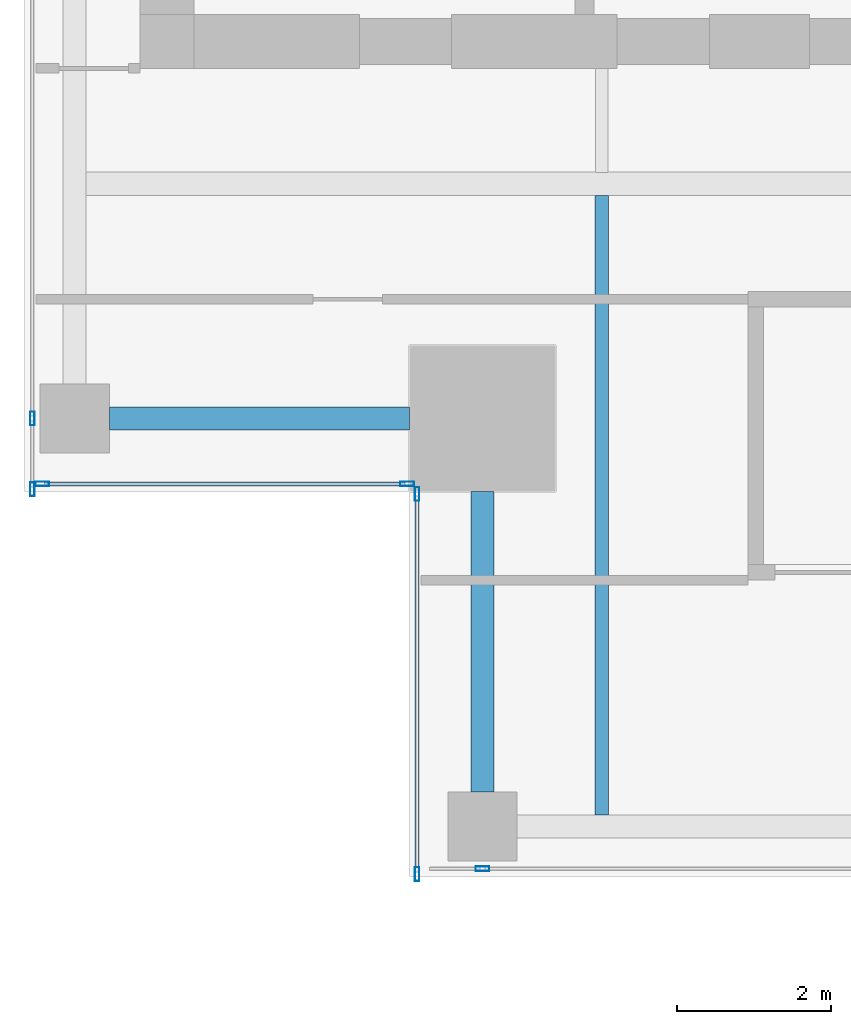
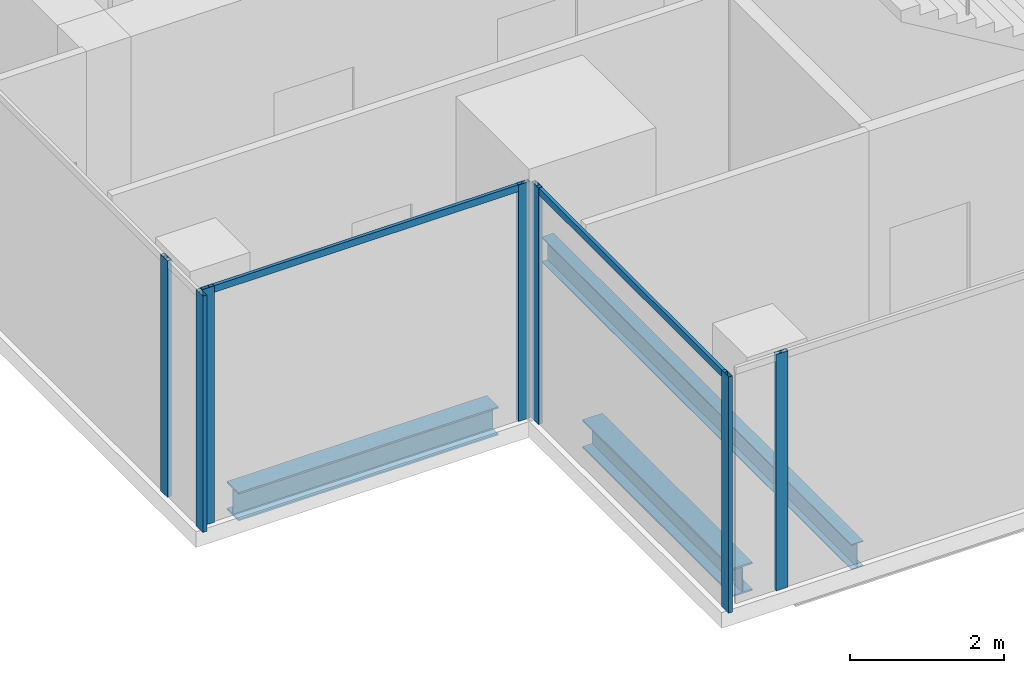
# One storey, part 2 of 36: 9 members, 3 beams, 4 elements without a shape of their own.
"""IFC4 building model written with IfcOpenShell, lengths in metres."""

import ifcopenshell
import ifcopenshell.guid

model = None  # the IFC model being written
_history = None  # IfcOwnerHistory: only IFC2X3 demands one
_inside = {}  # id of a spatial element -> (the spatial element, [elements in it])
_under = {}  # id of a project, library or spatial element -> (it, [spatial elements below it])
_declared = {}  # id of a project -> (the project, [libraries it declares])
_typed = {}  # id of a type object -> (the type object, [elements of that type])
_made_of = {}  # id of a material, layer set ... -> (it, [elements and type objects made of it])


def new_model(schema):
    """Start an empty IFC model of exactly this schema.

    Asked for "IFC4X3", IfcOpenShell would pick the latest addendum, in which some entities
    have other attributes; the version numbers below select the first issue.
    IFC2X3 requires an IfcOwnerHistory on every rooted entity: one is made here for all.
    """
    global model, _history
    if schema == "IFC4X3":
        model = ifcopenshell.file(schema_version=(4, 3, 0, 0))
    else:
        model = ifcopenshell.file(schema=schema)
    _inside.clear()
    _under.clear()
    _declared.clear()
    _typed.clear()
    _made_of.clear()
    _history = None
    if model.schema == "IFC2X3":
        org = make("IfcOrganization", Name="unknown")
        user = make(
            "IfcPersonAndOrganization",
            ThePerson=make("IfcPerson", FamilyName="unknown"),
            TheOrganization=org,
        )
        app = make(
            "IfcApplication",
            ApplicationDeveloper=org,
            Version="unknown",
            ApplicationFullName="unknown",
            ApplicationIdentifier="unknown",
        )
        _history = make(
            "IfcOwnerHistory",
            OwningUser=user,
            OwningApplication=app,
            ChangeAction="ADDED",
            CreationDate=0,
        )
    return model


def make(cls, **values):
    """One entity of the class cls with the attributes given. An attribute that is None is left unset."""
    return model.create_entity(
        cls, **{name: value for name, value in values.items() if value is not None}
    )


def rooted(cls, **values):
    """An entity with a GlobalId (a new one), such as an element, a storey or a relation."""
    return make(cls, GlobalId=ifcopenshell.guid.new(), OwnerHistory=_history, **values)


def si_unit(unit_type, name, prefix=None):
    """IfcSIUnit, for example si_unit("LENGTHUNIT", "METRE", prefix="MILLI")."""
    return make("IfcSIUnit", UnitType=unit_type, Prefix=prefix, Name=name)


def assignment(units):
    """IfcUnitAssignment: the units of a project."""
    return None if units is None else make("IfcUnitAssignment", Units=units)


def point(xyz):
    """IfcCartesianPoint."""
    return None if xyz is None else make("IfcCartesianPoint", Coordinates=xyz)


def direction(xyz):
    """IfcDirection."""
    return None if xyz is None else make("IfcDirection", DirectionRatios=xyz)


def frame(location, z_axis=None, x_axis=None):
    """IfcAxis2Placement3D, a coordinate frame: its origin and axes. An axis left out is left unset."""
    return make(
        "IfcAxis2Placement3D",
        Location=point(location),
        Axis=direction(z_axis),
        RefDirection=direction(x_axis),
    )


def frame_2d(location, x_axis=None):
    """IfcAxis2Placement2D, a coordinate frame in the plane: its origin and x axis."""
    return make(
        "IfcAxis2Placement2D", Location=point(location), RefDirection=direction(x_axis)
    )


def origin():
    """The frame at (0, 0, 0) with its axes left unset."""
    return frame((0.0, 0.0, 0.0))


def origin_2d():
    """The frame at (0, 0) in the plane with its x axis left unset."""
    return frame_2d((0.0, 0.0))


def place(relative_to, where):
    """IfcLocalPlacement: puts the frame where relative to a parent placement (None: the world)."""
    return make(
        "IfcLocalPlacement", PlacementRelTo=relative_to, RelativePlacement=where
    )


def context(
    kind, dimensions, precision=None, world=None, true_north=None, identifier=None
):
    """IfcGeometricRepresentationContext, for example the 3D "Model" context."""
    return make(
        "IfcGeometricRepresentationContext",
        ContextIdentifier=identifier,
        ContextType=kind,
        CoordinateSpaceDimension=dimensions,
        Precision=precision,
        WorldCoordinateSystem=world,
        TrueNorth=true_north,
    )


def subcontext(parent, identifier, kind, view, scale=None):
    """IfcGeometricRepresentationSubContext, for example "Body" below "Model"."""
    return make(
        "IfcGeometricRepresentationSubContext",
        ContextIdentifier=identifier,
        ContextType=kind,
        ParentContext=parent,
        TargetScale=scale,
        TargetView=view,
    )


def project(units=None, contexts=None):
    """IfcProject with its units and contexts."""
    return rooted(
        "IfcProject",
        Name="project",
        RepresentationContexts=contexts,
        UnitsInContext=assignment(units),
    )


def spatial(cls, under=None, at=None, **own):
    """A site, building, storey or space (cls), placed at a placement, below another one or the project."""
    s = rooted(cls, ObjectPlacement=at, **own)
    if under is not None:
        _under.setdefault(under.id(), (under, []))[1].append(s)
    return s


def profile(cls, at=None, kind="AREA", **sizes):
    """A parametric profile (cls). Its sizes go by their IFC names, for example OverallWidth=200.0."""
    return make(cls, ProfileType=kind, Position=at, **sizes)


def hollow_rectangle(**sizes):
    """IfcRectangleHollowProfileDef."""
    return profile("IfcRectangleHollowProfileDef", **sizes)


def i_section(**sizes):
    """IfcIShapeProfileDef."""
    return profile("IfcIShapeProfileDef", **sizes)


def extrude(swept, where, along, depth):
    """IfcExtrudedAreaSolid: the profile swept, set in the frame where, extruded along a direction by depth."""
    return make(
        "IfcExtrudedAreaSolid",
        SweptArea=swept,
        Position=where,
        ExtrudedDirection=direction(along),
        Depth=depth,
    )


def shape(context_of_items, identifier, shape_type, items):
    """IfcShapeRepresentation: the items that make up one representation, for example the "Body"."""
    return make(
        "IfcShapeRepresentation",
        ContextOfItems=context_of_items,
        RepresentationIdentifier=identifier,
        RepresentationType=shape_type,
        Items=items,
    )


def source(mapping_origin, context_of_items, identifier, shape_type, items):
    """IfcRepresentationMap: a shape defined once, which mapped items show again and again."""
    return make(
        "IfcRepresentationMap",
        MappingOrigin=mapping_origin,
        MappedRepresentation=shape(context_of_items, identifier, shape_type, items),
    )


def transform(
    local_origin,
    x_axis=None,
    y_axis=None,
    z_axis=None,
    scale=None,
    scale2=None,
    scale3=None,
    uniform=True,
):
    """IfcCartesianTransformationOperator3D, or its non-uniform kind. x_axis, y_axis, z_axis: its Axis1, 2, 3."""
    if uniform:
        return make(
            "IfcCartesianTransformationOperator3D",
            Axis1=direction(x_axis),
            Axis2=direction(y_axis),
            LocalOrigin=point(local_origin),
            Scale=scale,
            Axis3=direction(z_axis),
        )
    return make(
        "IfcCartesianTransformationOperator3DnonUniform",
        Axis1=direction(x_axis),
        Axis2=direction(y_axis),
        LocalOrigin=point(local_origin),
        Scale=scale,
        Axis3=direction(z_axis),
        Scale2=scale2,
        Scale3=scale3,
    )


def mapped(mapping_source, mapping_target):
    """IfcMappedItem: shows the shape of a source again, moved by a transform."""
    return make(
        "IfcMappedItem", MappingSource=mapping_source, MappingTarget=mapping_target
    )


def material(Name=None, Category=None):
    """IfcMaterial."""
    return make("IfcMaterial", Name=Name, Category=Category)


def material_profile(
    of_material, cross_section, Name=None, Category=None, Priority=None
):
    """IfcMaterialProfile: a cross section and its material."""
    return make(
        "IfcMaterialProfile",
        Name=Name,
        Material=of_material,
        Profile=cross_section,
        Priority=Priority,
        Category=Category,
    )


def profile_set(profiles, Name=None, composite=None):
    """IfcMaterialProfileSet."""
    return make(
        "IfcMaterialProfileSet",
        Name=Name,
        MaterialProfiles=profiles,
        CompositeProfile=composite,
    )


def made_of(thing, what):
    """Note that an element or type object is made of a material, layer set ...; save() writes the relation."""
    if what is not None:
        _made_of.setdefault(what.id(), (what, []))[1].append(thing)
    return thing


def type_object(cls, material=None, **own):
    """A type object (cls), such as IfcWallType, which elements share."""
    return made_of(rooted(cls, **own), material)


def element(
    cls,
    number,
    at=None,
    inside=None,
    cuts=None,
    type_object=None,
    material=None,
    context=None,
    identifier="Body",
    shape_type=None,
    held_by="IfcProductDefinitionShape",
    body=None,
    shapes=None,
    **own,
):
    """One element of the class cls, such as IfcWall. Its Tag is "e" and its number.

    at: its placement. inside: the storey or other place that contains it. cuts: it is an
    opening in that element (IfcRelVoidsElement). A single representation is given by context,
    identifier, shape_type and body (its items); several are given by shapes. held_by: the class
    of the entity that holds the representations. save() writes the other relations.
    """
    e = rooted(cls, Tag="e%d" % number, ObjectPlacement=at, **own)
    if body is not None:
        shapes = [shape(context, identifier, shape_type, body)]
    if shapes is not None:
        e.Representation = make(held_by, Representations=shapes)
    if inside is not None:
        _inside.setdefault(inside.id(), (inside, []))[1].append(e)
    if cuts is not None:
        rooted(
            "IfcRelVoidsElement", RelatingBuildingElement=cuts, RelatedOpeningElement=e
        )
    if type_object is not None:
        _typed.setdefault(type_object.id(), (type_object, []))[1].append(e)
    return made_of(e, material)


def aggregate(whole, parts):
    """IfcRelAggregates: a whole, such as a stair, and the parts it consists of."""
    return rooted("IfcRelAggregates", RelatingObject=whole, RelatedObjects=parts)


def save(model, path):
    """Write the relations noted so far, then the file.

    IfcRelAggregates (storeys below a building ...), IfcRelContainedInSpatialStructure (elements
    in a storey), IfcRelDefinesByType, IfcRelAssociatesMaterial and IfcRelDeclares: one each for
    every whole, place, type object, material and project.
    """
    for whole, parts in _under.values():
        aggregate(whole, parts)
    for where, things in _inside.values():
        rooted(
            "IfcRelContainedInSpatialStructure",
            RelatedElements=things,
            RelatingStructure=where,
        )
    for kind, things in _typed.values():
        rooted("IfcRelDefinesByType", RelatedObjects=things, RelatingType=kind)
    for what, things in _made_of.values():
        rooted("IfcRelAssociatesMaterial", RelatedObjects=things, RelatingMaterial=what)
    for by, libraries in _declared.values():
        rooted("IfcRelDeclares", RelatingContext=by, RelatedDefinitions=libraries)
    model.write(path)


model = new_model("IFC4")

# Units and contexts
model_context = context("Model", 3, precision=1e-05, world=origin(), true_north=direction((0.0, 1.0)))
body_context = subcontext(model_context, "Body", "Model", "MODEL_VIEW")
ifc_project = project(units=[si_unit("LENGTHUNIT", "METRE"), si_unit("AREAUNIT", "SQUARE_METRE"), si_unit("VOLUMEUNIT", "CUBIC_METRE"), si_unit("PLANEANGLEUNIT", "RADIAN"), si_unit("MASSUNIT", "GRAM", prefix="KILO")], contexts=[model_context])

# Site, building, storey
site_placement = place(None, origin())
site = spatial("IfcSite", under=ifc_project, at=site_placement, CompositionType="ELEMENT")
building_placement = place(site_placement, origin())
building = spatial("IfcBuilding", under=site, at=building_placement, Name="Khomas Fold Tower", CompositionType="ELEMENT")
storey_placement = place(building_placement, frame((0.0, 0.0, 230.199951171875)))
storey = spatial("IfcBuildingStorey", under=building, at=storey_placement, Name="L51", CompositionType="ELEMENT", Elevation=230.199951171875)

# Beams
ifc_material_1 = material(Name="Steel S355", Category="steel")
ifc_material_profile_1 = material_profile(ifc_material_1, i_section(OverallWidth=0.300048828125, OverallDepth=0.449951171875, WebThickness=0.013916015625, FlangeThickness=0.02587890625, at=origin_2d()), Name="HE 450 B")
ifc_profile_set_1 = profile_set([ifc_material_profile_1], Name="Steel S355")
beam_type_1 = type_object("IfcBeamType", Name="HE 450 B spandrel SB4", PredefinedType="SPANDREL", material=ifc_profile_set_1)
shared_shape_1 = source(origin(), body_context, "Body", "SweptSolid", [
    extrude(i_section(OverallWidth=0.300048828125, OverallDepth=0.449951171875, WebThickness=0.013916015625, FlangeThickness=0.02587890625, at=origin_2d()), origin(), (0.0, 0.0, 1.0), 3.89990234375),
])
for number, where, z_axis, x_axis, name in (
    (1, (5.60009765625, 10.449951171875, -0.474853515625), (1.0, 0.0, 0.0), (0.0, 1.0, 0.0), "SB4"),
    (2, (10.449951171875, 5.60009765625, -0.474853515625), (0.0, 1.0, 0.0), (-1.0, 0.0, 0.0), "SB4"),
):
    element("IfcBeam", number, at=place(storey_placement, frame(where, z_axis=z_axis, x_axis=x_axis)), inside=storey, type_object=beam_type_1, Name=name, PredefinedType="SPANDREL", context=body_context, shape_type="MappedRepresentation", body=[
        mapped(shared_shape_1, transform((0.0, 0.0, 0.0))),
    ])
ifc_material_2 = material(Name="Steel S355", Category="steel")
ifc_material_profile_2 = material_profile(ifc_material_2, i_section(OverallWidth=0.179931640625, OverallDepth=0.39990234375, WebThickness=0.008544921875, FlangeThickness=0.013427734375, at=origin_2d()), Name="IPE 400")
ifc_profile_set_2 = profile_set([ifc_material_profile_2], Name="Steel S355")
beam_type_2 = type_object("IfcBeamType", Name="IPE 400 beam JB3", PredefinedType="BEAM", material=ifc_profile_set_2)
shared_shape_2 = source(origin(), body_context, "Body", "SweptSolid", [
    extrude(i_section(OverallWidth=0.179931640625, OverallDepth=0.39990234375, WebThickness=0.008544921875, FlangeThickness=0.013427734375, at=origin_2d()), origin(), (0.0, 0.0, 1.0), 8.050048828125),
])
beam_placement = place(storey_placement, frame((12.0, 5.300048828125, -0.449951171875), z_axis=(0.0, 1.0, 0.0), x_axis=(-1.0, 0.0, 0.0)))
element("IfcBeam", 3, at=beam_placement, inside=storey, type_object=beam_type_2, Name="JB3", PredefinedType="BEAM", context=body_context, shape_type="MappedRepresentation", body=[
    mapped(shared_shape_2, transform((0.0, 0.0, 0.0))),
])

# Curtain wall, member
ifc_material_3 = material(Name="Aluminium framed double glazing", Category="aluminium")
curtain_wall_type = type_object("IfcCurtainWallType", Name="SK-Unitised clear-glass wall, office floors CW2", PredefinedType="NOTDEFINED", material=ifc_material_3)
curtain_wall_1_placement = place(storey_placement, origin())
curtain_wall_1 = element("IfcCurtainWall", 4, at=curtain_wall_1_placement, inside=storey, type_object=curtain_wall_type, Name="CW2 run L51 00-0", PredefinedType="NOTDEFINED")
ifc_material_4 = material(Name="Aluminium", Category="aluminium")
ifc_material_profile_3 = material_profile(ifc_material_4, hollow_rectangle(XDim=0.06005859375, YDim=0.179931640625, WallThickness=0.00390625, at=origin_2d()), Name="SK-Unitised clear-glass wall, office floors mullion CW2-M")
ifc_profile_set_3 = profile_set([ifc_material_profile_3], Name="Aluminium")
member_type_1 = type_object("IfcMemberType", Name="SK-Unitised clear-glass wall, office floors mullion CW2-M", PredefinedType="MULLION", material=ifc_profile_set_3)
shared_shape_3 = source(origin(), body_context, "Body", "SweptSolid", [
    extrude(hollow_rectangle(XDim=0.06005859375, YDim=0.179931640625, WallThickness=0.00390625, at=origin_2d()), origin(), (0.0, 0.0, 1.0), 3.75),
])
member_1_placement = place(storey_placement, frame((10.449951171875, 4.60009765625, 0.0), z_axis=(0.0, 0.0, 1.0), x_axis=(0.0, 1.0, 0.0)))
member_1 = element("IfcMember", 5, at=member_1_placement, type_object=member_type_1, Name="CW2 mullion 2", PredefinedType="MULLION", context=body_context, shape_type="MappedRepresentation", body=[
    mapped(shared_shape_3, transform((0.0, 0.0, 0.0))),
])
aggregate(curtain_wall_1, [member_1])

# Curtain wall, members
curtain_wall_2_placement = place(storey_placement, origin())
curtain_wall_2 = element("IfcCurtainWall", 6, at=curtain_wall_2_placement, inside=storey, type_object=curtain_wall_type, Name="CW2 run L51 09-0", PredefinedType="NOTDEFINED")
member_2_placement = place(storey_placement, frame((4.60009765625, 10.449951171875, 0.0), z_axis=(0.0, 0.0, 1.0), x_axis=(1.0, 0.0, 0.0)))
member_2 = element("IfcMember", 7, at=member_2_placement, type_object=member_type_1, Name="CW2 mullion 6", PredefinedType="MULLION", context=body_context, shape_type="MappedRepresentation", body=[
    mapped(shared_shape_3, transform((0.0, 0.0, 0.0))),
])
member_3_placement = place(storey_placement, frame((4.60009765625, 9.530029296875, 0.0), z_axis=(0.0, 0.0, 1.0), x_axis=(1.0, 0.0, 0.0)))
member_3 = element("IfcMember", 8, at=member_3_placement, type_object=member_type_1, Name="CW2 mullion 7", PredefinedType="MULLION", context=body_context, shape_type="MappedRepresentation", body=[
    mapped(shared_shape_3, transform((0.0, 0.0, 0.0))),
])
aggregate(curtain_wall_2, [member_2, member_3])

curtain_wall_3_placement = place(storey_placement, origin())
curtain_wall_3 = element("IfcCurtainWall", 9, at=curtain_wall_3_placement, inside=storey, type_object=curtain_wall_type, Name="CW2 corner return L51 10", PredefinedType="NOTDEFINED")
member_4_placement = place(storey_placement, frame((4.72998046875, 9.60009765625, 0.0), z_axis=(0.0, 0.0, 1.0), x_axis=(0.0, 1.0, 0.0)))
member_4 = element("IfcMember", 10, at=member_4_placement, type_object=member_type_1, Name="CW2 mullion 1", PredefinedType="MULLION", context=body_context, shape_type="MappedRepresentation", body=[
    mapped(shared_shape_3, transform((0.0, 0.0, 0.0))),
])
member_5_placement = place(storey_placement, frame((9.469970703125, 9.60009765625, 0.0), z_axis=(0.0, 0.0, 1.0), x_axis=(0.0, 1.0, 0.0)))
member_5 = element("IfcMember", 11, at=member_5_placement, type_object=member_type_1, Name="CW2 mullion 2", PredefinedType="MULLION", context=body_context, shape_type="MappedRepresentation", body=[
    mapped(shared_shape_3, transform((0.0, 0.0, 0.0))),
])

curtain_wall_4_placement = place(storey_placement, origin())
curtain_wall_4 = element("IfcCurtainWall", 12, at=curtain_wall_4_placement, inside=storey, type_object=curtain_wall_type, Name="CW2 corner return L51 11", PredefinedType="NOTDEFINED")
member_6_placement = place(storey_placement, frame((9.60009765625, 9.469970703125, 0.0), z_axis=(0.0, 0.0, 1.0), x_axis=(1.0, 0.0, 0.0)))
member_6 = element("IfcMember", 13, at=member_6_placement, type_object=member_type_1, Name="CW2 mullion 1", PredefinedType="MULLION", context=body_context, shape_type="MappedRepresentation", body=[
    mapped(shared_shape_3, transform((0.0, 0.0, 0.0))),
])
member_7_placement = place(storey_placement, frame((9.60009765625, 4.530029296875, 0.0), z_axis=(0.0, 0.0, 1.0), x_axis=(1.0, 0.0, 0.0)))
member_7 = element("IfcMember", 14, at=member_7_placement, type_object=member_type_1, Name="CW2 mullion 2", PredefinedType="MULLION", context=body_context, shape_type="MappedRepresentation", body=[
    mapped(shared_shape_3, transform((0.0, 0.0, 0.0))),
])

# Member
ifc_material_5 = material(Name="Aluminium", Category="aluminium")
ifc_material_profile_4 = material_profile(ifc_material_5, hollow_rectangle(XDim=0.050048828125, YDim=0.110107421875, WallThickness=0.00390625, at=origin_2d()), Name="SK-Unitised clear-glass wall, office floors transom CW2-T")
ifc_profile_set_4 = profile_set([ifc_material_profile_4], Name="Aluminium")
member_type_2 = type_object("IfcMemberType", Name="SK-Unitised clear-glass wall, office floors transom CW2-T", PredefinedType="USERDEFINED", material=ifc_profile_set_4)
shared_shape_4 = source(origin(), body_context, "Body", "SweptSolid", [
    extrude(hollow_rectangle(XDim=0.050048828125, YDim=0.110107421875, WallThickness=0.00390625, at=origin_2d()), origin(), (0.0, 0.0, 1.0), 4.679931640625),
])
member_8_placement = place(storey_placement, frame((4.760009765625, 9.60009765625, 3.695068359375), z_axis=(1.0, 0.0, 0.0), x_axis=(0.0, 1.0, 0.0)))
member_8 = element("IfcMember", 15, at=member_8_placement, type_object=member_type_2, Name="CW2 transom 1", ObjectType="TRANSOM", PredefinedType="USERDEFINED", context=body_context, shape_type="MappedRepresentation", body=[
    mapped(shared_shape_4, transform((0.0, 0.0, 0.0))),
])

aggregate(curtain_wall_3, [member_4, member_5, member_8])

shared_shape_5 = source(origin(), body_context, "Body", "SweptSolid", [
    extrude(hollow_rectangle(XDim=0.050048828125, YDim=0.110107421875, WallThickness=0.00390625, at=origin_2d()), origin(), (0.0, 0.0, 1.0), 4.8798828125),
])
member_9_placement = place(storey_placement, frame((9.60009765625, 9.43994140625, 3.695068359375), z_axis=(0.0, -1.0, 0.0), x_axis=(1.0, 0.0, 0.0)))
member_9 = element("IfcMember", 16, at=member_9_placement, type_object=member_type_2, Name="CW2 transom 1", ObjectType="TRANSOM", PredefinedType="USERDEFINED", context=body_context, shape_type="MappedRepresentation", body=[
    mapped(shared_shape_5, transform((0.0, 0.0, 0.0))),
])

aggregate(curtain_wall_4, [member_6, member_7, member_9])

save(model, "model.ifc")
